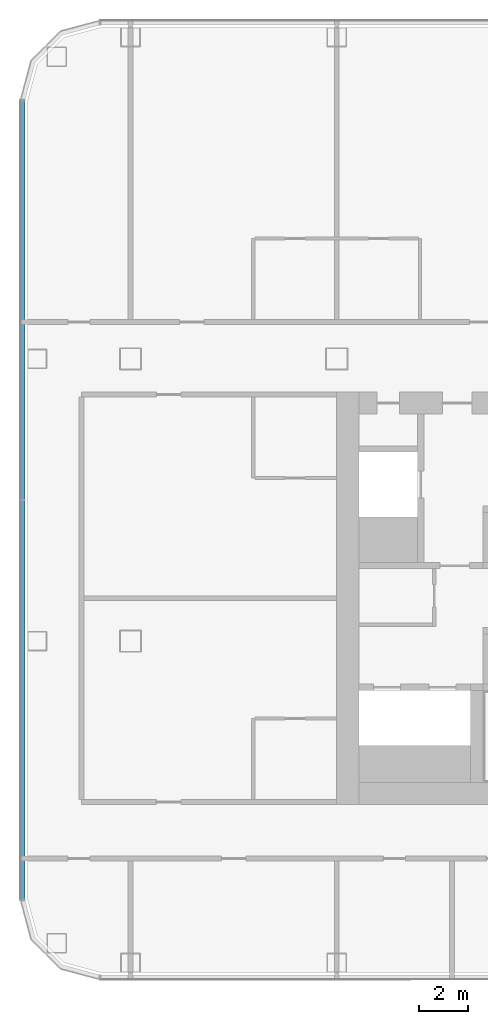
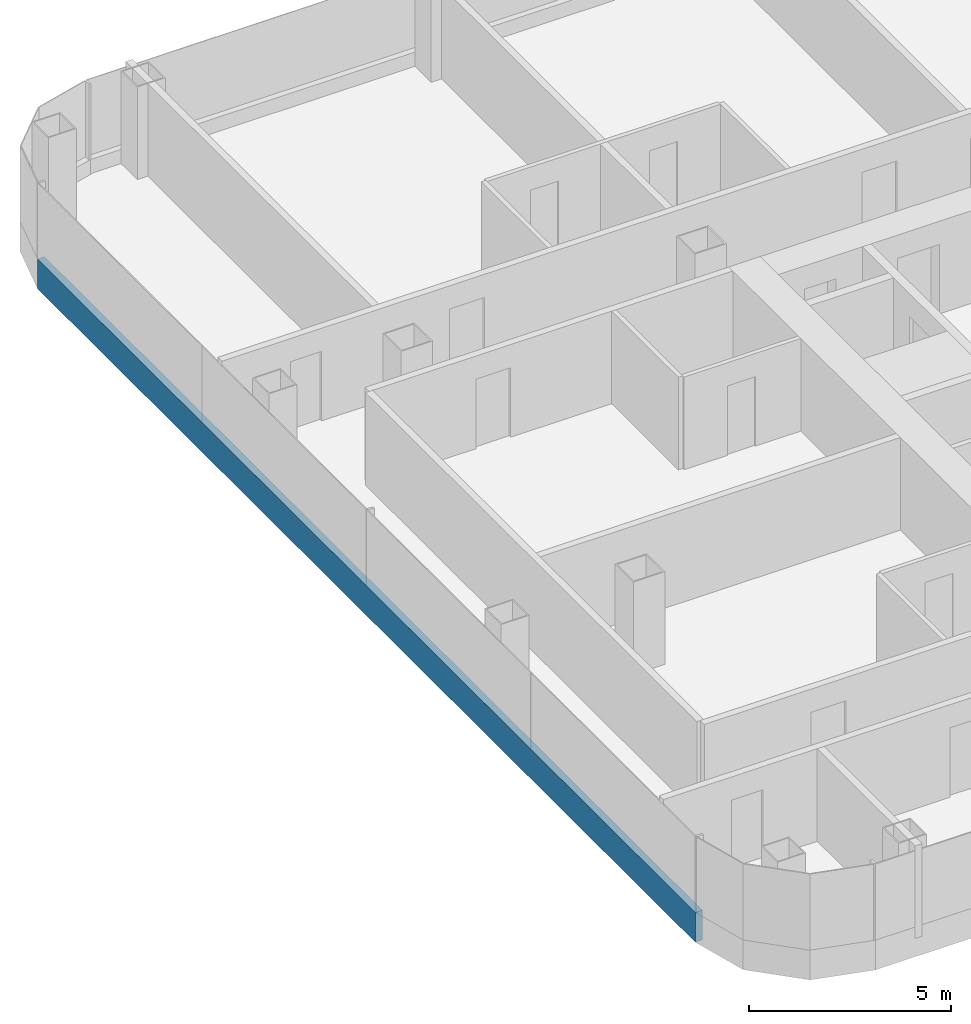
# One storey, part 3 of 29: 1 member, 1 element without a shape of its own.
"""IFC4 building model written with IfcOpenShell, lengths in metres."""

from ifc_helpers import new_model, si_unit, direction, frame, origin, origin_2d, place, context, subcontext, project, spatial, rectangle, extrude, material, layer, layer_set, material_profile, profile_set, type_object, element, aggregate, save


model = new_model("IFC4")

# Units and contexts
model_context = context("Model", 3, precision=1e-05, world=origin(), true_north=direction((0.0, 1.0)))
body_context = subcontext(model_context, "Body", "Model", "MODEL_VIEW")
ifc_project = project(units=[si_unit("LENGTHUNIT", "METRE"), si_unit("AREAUNIT", "SQUARE_METRE"), si_unit("VOLUMEUNIT", "CUBIC_METRE"), si_unit("PLANEANGLEUNIT", "RADIAN"), si_unit("MASSUNIT", "GRAM", prefix="KILO")], contexts=[model_context])

# Site, building, storey
site_placement = place(None, origin())
site = spatial("IfcSite", under=ifc_project, at=site_placement, CompositionType="ELEMENT")
building_placement = place(site_placement, origin())
building = spatial("IfcBuilding", under=site, at=building_placement, Name="Hakoniwa Tower and Hamabe Station Hall", CompositionType="ELEMENT")
storey_placement = place(building_placement, frame((0.0, 0.0, 75.39990234375)))
storey = spatial("IfcBuildingStorey", under=building, at=storey_placement, Name="L20", CompositionType="ELEMENT", Elevation=75.39990234375)

# Curtain wall, member
ifc_material_1 = material(Name="Dark low-e laminated glass", Category="glass")
ifc_layer = layer(ifc_material_1, 0.199951171875)
ifc_layer_set = layer_set([ifc_layer], Name="CW-1 UNITISED GUEST")
curtain_wall_type = type_object("IfcCurtainWallType", Name="CW-1 UNITISED GUEST", PredefinedType="NOTDEFINED", material=ifc_layer_set)
curtain_wall_placement = place(storey_placement, origin())
curtain_wall = element("IfcCurtainWall", 1, at=curtain_wall_placement, inside=storey, type_object=curtain_wall_type, Name="CW-1 curtain wall", PredefinedType="NOTDEFINED")
ifc_material_2 = material(Name="Aluminium 6063-T5 black anodised", Category="aluminium")
ifc_material_profile = material_profile(ifc_material_2, rectangle(XDim=0.199951171875, YDim=0.89990234375, at=origin_2d()), Name="CW SLAB-EDGE BAND 900X200")
ifc_profile_set = profile_set([ifc_material_profile], Name="Aluminium 6063-T5 black anodised")
member_type = type_object("IfcMemberType", Name="CW SLAB-EDGE BAND 900X200", PredefinedType="USERDEFINED", material=ifc_profile_set)
member_placement = place(storey_placement, frame((-46.39990234375, 20.28955078125, -0.099853515625), z_axis=(0.0, -1.0, 0.0), x_axis=(1.0, 0.0, 0.0)))
member = element("IfcMember", 2, at=member_placement, type_object=member_type, Name="CW-1 transom", ObjectType="TRANSOM", PredefinedType="USERDEFINED", context=body_context, shape_type="SweptSolid", body=[
    extrude(rectangle(XDim=0.199951171875, YDim=0.89990234375, at=origin_2d()), origin(), (0.0, 0.0, 1.0), 32.5791015625),
])
aggregate(curtain_wall, [member])

save(model, "model.ifc")
